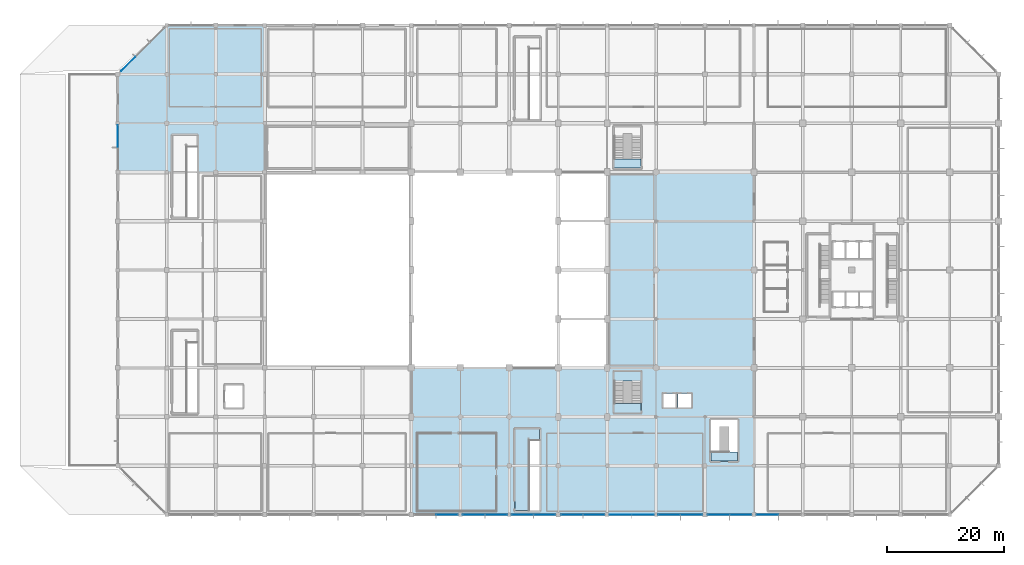
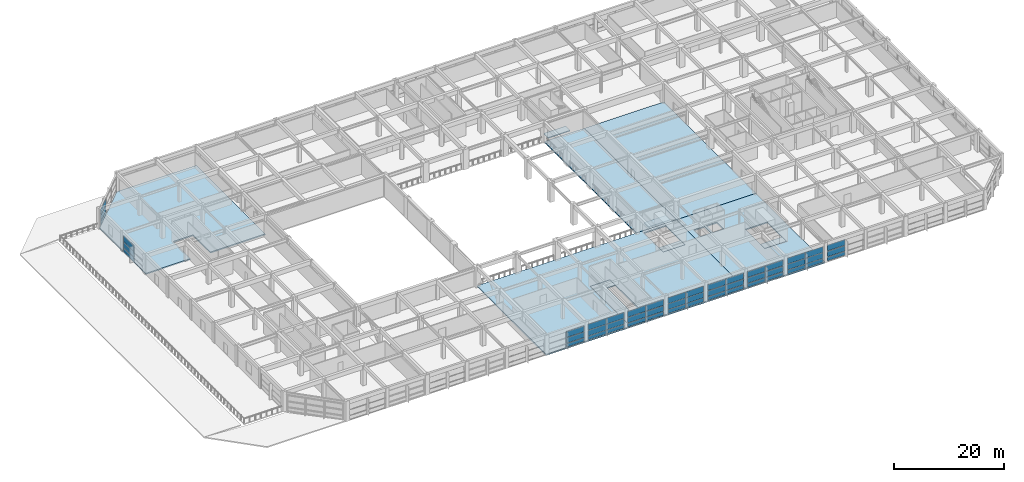
# One storey, part 37 of 56: 48 plates, 10 slabs, 12 elements without a shape of their own.
"""IFC4 building model written with IfcOpenShell, lengths in metres."""

from ifc_helpers import new_model, si_unit, direction, frame, origin, origin_2d, place, context, subcontext, project, spatial, polyline, rectangle, outline, extrude, material, layer, layer_set, type_object, element, aggregate, save


model = new_model("IFC4")

# Units and contexts
model_context = context("Model", 3, precision=1e-05, world=origin(), true_north=direction((0.0, 1.0)))
body_context = subcontext(model_context, "Body", "Model", "MODEL_VIEW")
ifc_project = project(units=[si_unit("LENGTHUNIT", "METRE"), si_unit("AREAUNIT", "SQUARE_METRE"), si_unit("VOLUMEUNIT", "CUBIC_METRE"), si_unit("PLANEANGLEUNIT", "RADIAN"), si_unit("MASSUNIT", "GRAM", prefix="KILO")], contexts=[model_context])

# Site, building, storey
site_placement = place(None, origin())
site = spatial("IfcSite", under=ifc_project, at=site_placement, CompositionType="ELEMENT")
building_placement = place(site_placement, origin())
building = spatial("IfcBuilding", under=site, at=building_placement, Name="Xuanlan Plaza Opera House", CompositionType="ELEMENT")
storey_placement = place(building_placement, frame((0.0, 0.0, 18.89990234375)))
storey = spatial("IfcBuildingStorey", under=building, at=storey_placement, Name="L04", CompositionType="ELEMENT", Elevation=18.89990234375)

# Curtain wall, plates
ifc_material_1 = material(Name="Anodised Aluminium 6063-T6 and Low-E Glass", Category="aluminium")
curtain_wall_type_1 = type_object("IfcCurtainWallType", Name="ENV-CW-CW-05", PredefinedType="USERDEFINED", material=ifc_material_1)
curtain_wall_1_placement = place(storey_placement, origin())
curtain_wall_1 = element("IfcCurtainWall", 1, at=curtain_wall_1_placement, inside=storey, type_object=curtain_wall_type_1, Name="Acoustic Glazed Wall L04-010", ObjectType="ACOUSTIC GLAZED WALL", PredefinedType="USERDEFINED")
ifc_material_2 = material(Name="Laminated Acoustic Double Glazing", Category="glass")
ifc_layer_1 = layer(ifc_material_2, 0.028076171875)
ifc_layer_set_1 = layer_set([ifc_layer_1], Name="Laminated Acoustic Double Glazing")
plate_type_1 = type_object("IfcPlateType", Name="ENV-CWP-01", PredefinedType="CURTAIN_PANEL", material=ifc_layer_set_1)
plate_1_placement = place(storey_placement, frame((103.11376953125, 16.800048828125, 0.065185546875), z_axis=(0.0, 0.0, 1.0), x_axis=(1.0, 0.0, 0.0)))
plate_1 = element("IfcPlate", 2, at=plate_1_placement, type_object=plate_type_1, Name="CW-05 panel 1.1", PredefinedType="CURTAIN_PANEL", context=body_context, shape_type="SweptSolid", body=[
    extrude(rectangle(XDim=3.757568359375, YDim=0.028076171875, at=origin_2d()), origin(), (0.0, 0.0, 1.0), 0.8525390625),
])
plate_2_placement = place(storey_placement, frame((103.11376953125, 16.800048828125, 0.982421875), z_axis=(0.0, 0.0, 1.0), x_axis=(1.0, 0.0, 0.0)))
plate_2 = element("IfcPlate", 3, at=plate_2_placement, type_object=plate_type_1, Name="CW-05 panel 1.2", PredefinedType="CURTAIN_PANEL", context=body_context, shape_type="SweptSolid", body=[
    extrude(rectangle(XDim=3.757568359375, YDim=0.028076171875, at=origin_2d()), origin(), (0.0, 0.0, 1.0), 1.235107421875),
])
plate_3_placement = place(storey_placement, frame((103.11376953125, 16.800048828125, 2.282470703125), z_axis=(0.0, 0.0, 1.0), x_axis=(1.0, 0.0, 0.0)))
plate_3 = element("IfcPlate", 4, at=plate_3_placement, type_object=plate_type_1, Name="CW-05 panel 1.3", PredefinedType="CURTAIN_PANEL", context=body_context, shape_type="SweptSolid", body=[
    extrude(rectangle(XDim=3.757568359375, YDim=0.028076171875, at=origin_2d()), origin(), (0.0, 0.0, 1.0), 1.33251953125),
])
plate_4_placement = place(storey_placement, frame((106.936279296875, 16.800048828125, 0.065185546875), z_axis=(0.0, 0.0, 1.0), x_axis=(1.0, 0.0, 0.0)))
plate_4 = element("IfcPlate", 5, at=plate_4_placement, type_object=plate_type_1, Name="CW-05 panel 2.1", PredefinedType="CURTAIN_PANEL", context=body_context, shape_type="SweptSolid", body=[
    extrude(rectangle(XDim=3.757568359375, YDim=0.028076171875, at=origin_2d()), origin(), (0.0, 0.0, 1.0), 0.8525390625),
])
plate_5_placement = place(storey_placement, frame((106.936279296875, 16.800048828125, 0.982421875), z_axis=(0.0, 0.0, 1.0), x_axis=(1.0, 0.0, 0.0)))
plate_5 = element("IfcPlate", 6, at=plate_5_placement, type_object=plate_type_1, Name="CW-05 panel 2.2", PredefinedType="CURTAIN_PANEL", context=body_context, shape_type="SweptSolid", body=[
    extrude(rectangle(XDim=3.757568359375, YDim=0.028076171875, at=origin_2d()), origin(), (0.0, 0.0, 1.0), 1.235107421875),
])
plate_6_placement = place(storey_placement, frame((106.936279296875, 16.800048828125, 2.282470703125), z_axis=(0.0, 0.0, 1.0), x_axis=(1.0, 0.0, 0.0)))
plate_6 = element("IfcPlate", 7, at=plate_6_placement, type_object=plate_type_1, Name="CW-05 panel 2.3", PredefinedType="CURTAIN_PANEL", context=body_context, shape_type="SweptSolid", body=[
    extrude(rectangle(XDim=3.757568359375, YDim=0.028076171875, at=origin_2d()), origin(), (0.0, 0.0, 1.0), 1.33251953125),
])
aggregate(curtain_wall_1, [plate_1, plate_2, plate_3, plate_4, plate_5, plate_6])

curtain_wall_type_2 = type_object("IfcCurtainWallType", Name="ENV-CW-CW-03", PredefinedType="USERDEFINED", material=ifc_material_1)
curtain_wall_2_placement = place(storey_placement, origin())
curtain_wall_2 = element("IfcCurtainWall", 8, at=curtain_wall_2_placement, inside=storey, type_object=curtain_wall_type_2, Name="Unitised Curtain Wall L04-045", ObjectType="UNITISED CURTAIN WALL", PredefinedType="USERDEFINED")
plate_7_placement = place(storey_placement, frame((16.800048828125, 81.736328125, 0.065185546875), z_axis=(0.0, 0.0, 1.0), x_axis=(0.0, -1.0, 0.0)))
plate_7 = element("IfcPlate", 9, at=plate_7_placement, type_object=plate_type_1, Name="CW-03 panel 1.1", PredefinedType="CURTAIN_PANEL", context=body_context, shape_type="SweptSolid", body=[
    extrude(rectangle(XDim=3.757568359375, YDim=0.028076171875, at=origin_2d()), origin(), (0.0, 0.0, 1.0), 0.8525390625),
])
plate_8_placement = place(storey_placement, frame((16.800048828125, 81.736328125, 0.982421875), z_axis=(0.0, 0.0, 1.0), x_axis=(0.0, -1.0, 0.0)))
plate_8 = element("IfcPlate", 10, at=plate_8_placement, type_object=plate_type_1, Name="CW-03 panel 1.2", PredefinedType="CURTAIN_PANEL", context=body_context, shape_type="SweptSolid", body=[
    extrude(rectangle(XDim=3.757568359375, YDim=0.028076171875, at=origin_2d()), origin(), (0.0, 0.0, 1.0), 1.235107421875),
])
plate_9_placement = place(storey_placement, frame((16.800048828125, 81.736328125, 2.282470703125), z_axis=(0.0, 0.0, 1.0), x_axis=(0.0, -1.0, 0.0)))
plate_9 = element("IfcPlate", 11, at=plate_9_placement, type_object=plate_type_1, Name="CW-03 panel 1.3", PredefinedType="CURTAIN_PANEL", context=body_context, shape_type="SweptSolid", body=[
    extrude(rectangle(XDim=3.757568359375, YDim=0.028076171875, at=origin_2d()), origin(), (0.0, 0.0, 1.0), 1.33251953125),
])
aggregate(curtain_wall_2, [plate_7, plate_8, plate_9])

curtain_wall_type_3 = type_object("IfcCurtainWallType", Name="ENV-CW-CW-06", PredefinedType="USERDEFINED", material=ifc_material_1)
curtain_wall_3_placement = place(storey_placement, origin())
curtain_wall_3 = element("IfcCurtainWall", 12, at=curtain_wall_3_placement, inside=storey, type_object=curtain_wall_type_3, Name="Acoustic Glazed Wall L04-007", ObjectType="ACOUSTIC GLAZED WALL", PredefinedType="USERDEFINED")
ifc_layer_2 = layer(ifc_material_2, 0.031982421875)
ifc_layer_set_2 = layer_set([ifc_layer_2], Name="Laminated Acoustic Double Glazing")
plate_type_2 = type_object("IfcPlateType", Name="ENV-CWP-02", PredefinedType="CURTAIN_PANEL", material=ifc_layer_set_2)
plate_10_placement = place(storey_placement, frame((77.916259765625, 16.800048828125, 0.090087890625), z_axis=(0.0, 0.0, 1.0), x_axis=(1.0, 0.0, 0.0)))
plate_10 = element("IfcPlate", 13, at=plate_10_placement, type_object=plate_type_2, Name="CW-06 panel 1.1", PredefinedType="CURTAIN_PANEL", context=body_context, shape_type="SweptSolid", body=[
    extrude(rectangle(XDim=3.742431640625, YDim=0.031982421875, at=origin_2d()), origin(), (0.0, 0.0, 1.0), 0.81494140625),
])
plate_11_placement = place(storey_placement, frame((77.916259765625, 16.800048828125, 0.9951171875), z_axis=(0.0, 0.0, 1.0), x_axis=(1.0, 0.0, 0.0)))
plate_11 = element("IfcPlate", 14, at=plate_11_placement, type_object=plate_type_2, Name="CW-06 panel 1.2", PredefinedType="CURTAIN_PANEL", context=body_context, shape_type="SweptSolid", body=[
    extrude(rectangle(XDim=3.742431640625, YDim=0.031982421875, at=origin_2d()), origin(), (0.0, 0.0, 1.0), 1.2099609375),
])
plate_12_placement = place(storey_placement, frame((77.916259765625, 16.800048828125, 2.295166015625), z_axis=(0.0, 0.0, 1.0), x_axis=(1.0, 0.0, 0.0)))
plate_12 = element("IfcPlate", 15, at=plate_12_placement, type_object=plate_type_2, Name="CW-06 panel 1.3", PredefinedType="CURTAIN_PANEL", context=body_context, shape_type="SweptSolid", body=[
    extrude(rectangle(XDim=3.742431640625, YDim=0.031982421875, at=origin_2d()), origin(), (0.0, 0.0, 1.0), 1.294921875),
])
plate_13_placement = place(storey_placement, frame((81.733642578125, 16.800048828125, 0.090087890625), z_axis=(0.0, 0.0, 1.0), x_axis=(1.0, 0.0, 0.0)))
plate_13 = element("IfcPlate", 16, at=plate_13_placement, type_object=plate_type_2, Name="CW-06 panel 2.1", PredefinedType="CURTAIN_PANEL", context=body_context, shape_type="SweptSolid", body=[
    extrude(rectangle(XDim=3.742431640625, YDim=0.031982421875, at=origin_2d()), origin(), (0.0, 0.0, 1.0), 0.81494140625),
])
plate_14_placement = place(storey_placement, frame((81.733642578125, 16.800048828125, 0.9951171875), z_axis=(0.0, 0.0, 1.0), x_axis=(1.0, 0.0, 0.0)))
plate_14 = element("IfcPlate", 17, at=plate_14_placement, type_object=plate_type_2, Name="CW-06 panel 2.2", PredefinedType="CURTAIN_PANEL", context=body_context, shape_type="SweptSolid", body=[
    extrude(rectangle(XDim=3.742431640625, YDim=0.031982421875, at=origin_2d()), origin(), (0.0, 0.0, 1.0), 1.2099609375),
])
plate_15_placement = place(storey_placement, frame((81.733642578125, 16.800048828125, 2.295166015625), z_axis=(0.0, 0.0, 1.0), x_axis=(1.0, 0.0, 0.0)))
plate_15 = element("IfcPlate", 18, at=plate_15_placement, type_object=plate_type_2, Name="CW-06 panel 2.3", PredefinedType="CURTAIN_PANEL", context=body_context, shape_type="SweptSolid", body=[
    extrude(rectangle(XDim=3.742431640625, YDim=0.031982421875, at=origin_2d()), origin(), (0.0, 0.0, 1.0), 1.294921875),
])
aggregate(curtain_wall_3, [plate_10, plate_11, plate_12, plate_13, plate_14, plate_15])

curtain_wall_4_placement = place(storey_placement, origin())
curtain_wall_4 = element("IfcCurtainWall", 19, at=curtain_wall_4_placement, inside=storey, type_object=curtain_wall_type_1, Name="Acoustic Glazed Wall L04-012", ObjectType="ACOUSTIC GLAZED WALL", PredefinedType="USERDEFINED")
plate_16_placement = place(storey_placement, frame((119.941162109375, 16.800048828125, 0.090087890625), z_axis=(0.0, 0.0, 1.0), x_axis=(1.0, 0.0, 0.0)))
plate_16 = element("IfcPlate", 20, at=plate_16_placement, type_object=plate_type_2, Name="CW-05 panel 1.1", PredefinedType="CURTAIN_PANEL", context=body_context, shape_type="SweptSolid", body=[
    extrude(rectangle(XDim=3.6923828125, YDim=0.031982421875, at=origin_2d()), origin(), (0.0, 0.0, 1.0), 0.81494140625),
])
plate_17_placement = place(storey_placement, frame((119.941162109375, 16.800048828125, 0.9951171875), z_axis=(0.0, 0.0, 1.0), x_axis=(1.0, 0.0, 0.0)))
plate_17 = element("IfcPlate", 21, at=plate_17_placement, type_object=plate_type_2, Name="CW-05 panel 1.2", PredefinedType="CURTAIN_PANEL", context=body_context, shape_type="SweptSolid", body=[
    extrude(rectangle(XDim=3.6923828125, YDim=0.031982421875, at=origin_2d()), origin(), (0.0, 0.0, 1.0), 1.2099609375),
])
plate_18_placement = place(storey_placement, frame((119.941162109375, 16.800048828125, 2.295166015625), z_axis=(0.0, 0.0, 1.0), x_axis=(1.0, 0.0, 0.0)))
plate_18 = element("IfcPlate", 22, at=plate_18_placement, type_object=plate_type_2, Name="CW-05 panel 1.3", PredefinedType="CURTAIN_PANEL", context=body_context, shape_type="SweptSolid", body=[
    extrude(rectangle(XDim=3.6923828125, YDim=0.031982421875, at=origin_2d()), origin(), (0.0, 0.0, 1.0), 1.294921875),
])
plate_19_placement = place(storey_placement, frame((123.708740234375, 16.800048828125, 0.090087890625), z_axis=(0.0, 0.0, 1.0), x_axis=(1.0, 0.0, 0.0)))
plate_19 = element("IfcPlate", 23, at=plate_19_placement, type_object=plate_type_2, Name="CW-05 panel 2.1", PredefinedType="CURTAIN_PANEL", context=body_context, shape_type="SweptSolid", body=[
    extrude(rectangle(XDim=3.6923828125, YDim=0.031982421875, at=origin_2d()), origin(), (0.0, 0.0, 1.0), 0.81494140625),
])
plate_20_placement = place(storey_placement, frame((123.708740234375, 16.800048828125, 0.9951171875), z_axis=(0.0, 0.0, 1.0), x_axis=(1.0, 0.0, 0.0)))
plate_20 = element("IfcPlate", 24, at=plate_20_placement, type_object=plate_type_2, Name="CW-05 panel 2.2", PredefinedType="CURTAIN_PANEL", context=body_context, shape_type="SweptSolid", body=[
    extrude(rectangle(XDim=3.6923828125, YDim=0.031982421875, at=origin_2d()), origin(), (0.0, 0.0, 1.0), 1.2099609375),
])
plate_21_placement = place(storey_placement, frame((123.708740234375, 16.800048828125, 2.295166015625), z_axis=(0.0, 0.0, 1.0), x_axis=(1.0, 0.0, 0.0)))
plate_21 = element("IfcPlate", 25, at=plate_21_placement, type_object=plate_type_2, Name="CW-05 panel 2.3", PredefinedType="CURTAIN_PANEL", context=body_context, shape_type="SweptSolid", body=[
    extrude(rectangle(XDim=3.6923828125, YDim=0.031982421875, at=origin_2d()), origin(), (0.0, 0.0, 1.0), 1.294921875),
])
aggregate(curtain_wall_4, [plate_16, plate_17, plate_18, plate_19, plate_20, plate_21])

curtain_wall_5_placement = place(storey_placement, origin())
curtain_wall_5 = element("IfcCurtainWall", 26, at=curtain_wall_5_placement, inside=storey, type_object=curtain_wall_type_3, Name="Acoustic Glazed Wall L04-009", ObjectType="ACOUSTIC GLAZED WALL", PredefinedType="USERDEFINED")
ifc_layer_3 = layer(ifc_material_2, 0.035888671875)
ifc_layer_set_3 = layer_set([ifc_layer_3], Name="Laminated Acoustic Double Glazing")
plate_type_3 = type_object("IfcPlateType", Name="ENV-CWP-03", PredefinedType="CURTAIN_PANEL", material=ifc_layer_set_3)
plate_22_placement = place(storey_placement, frame((94.7451171875, 16.800048828125, 0.080078125), z_axis=(0.0, 0.0, 1.0), x_axis=(1.0, 0.0, 0.0)))
plate_22 = element("IfcPlate", 27, at=plate_22_placement, type_object=plate_type_3, Name="CW-06 panel 1.1", PredefinedType="CURTAIN_PANEL", context=body_context, shape_type="SweptSolid", body=[
    extrude(rectangle(XDim=3.669921875, YDim=0.035888671875, at=origin_2d()), origin(), (0.0, 0.0, 1.0), 0.830078125),
])
plate_23_placement = place(storey_placement, frame((94.7451171875, 16.800048828125, 0.990234375), z_axis=(0.0, 0.0, 1.0), x_axis=(1.0, 0.0, 0.0)))
plate_23 = element("IfcPlate", 28, at=plate_23_placement, type_object=plate_type_3, Name="CW-06 panel 1.2", PredefinedType="CURTAIN_PANEL", context=body_context, shape_type="SweptSolid", body=[
    extrude(rectangle(XDim=3.669921875, YDim=0.035888671875, at=origin_2d()), origin(), (0.0, 0.0, 1.0), 1.219970703125),
])
plate_24_placement = place(storey_placement, frame((94.7451171875, 16.800048828125, 2.2900390625), z_axis=(0.0, 0.0, 1.0), x_axis=(1.0, 0.0, 0.0)))
plate_24 = element("IfcPlate", 29, at=plate_24_placement, type_object=plate_type_3, Name="CW-06 panel 1.3", PredefinedType="CURTAIN_PANEL", context=body_context, shape_type="SweptSolid", body=[
    extrude(rectangle(XDim=3.669921875, YDim=0.035888671875, at=origin_2d()), origin(), (0.0, 0.0, 1.0), 1.31005859375),
])
plate_25_placement = place(storey_placement, frame((98.5048828125, 16.800048828125, 0.080078125), z_axis=(0.0, 0.0, 1.0), x_axis=(1.0, 0.0, 0.0)))
plate_25 = element("IfcPlate", 30, at=plate_25_placement, type_object=plate_type_3, Name="CW-06 panel 2.1", PredefinedType="CURTAIN_PANEL", context=body_context, shape_type="SweptSolid", body=[
    extrude(rectangle(XDim=3.669921875, YDim=0.035888671875, at=origin_2d()), origin(), (0.0, 0.0, 1.0), 0.830078125),
])
plate_26_placement = place(storey_placement, frame((98.5048828125, 16.800048828125, 0.990234375), z_axis=(0.0, 0.0, 1.0), x_axis=(1.0, 0.0, 0.0)))
plate_26 = element("IfcPlate", 31, at=plate_26_placement, type_object=plate_type_3, Name="CW-06 panel 2.2", PredefinedType="CURTAIN_PANEL", context=body_context, shape_type="SweptSolid", body=[
    extrude(rectangle(XDim=3.669921875, YDim=0.035888671875, at=origin_2d()), origin(), (0.0, 0.0, 1.0), 1.219970703125),
])
plate_27_placement = place(storey_placement, frame((98.5048828125, 16.800048828125, 2.2900390625), z_axis=(0.0, 0.0, 1.0), x_axis=(1.0, 0.0, 0.0)))
plate_27 = element("IfcPlate", 32, at=plate_27_placement, type_object=plate_type_3, Name="CW-06 panel 2.3", PredefinedType="CURTAIN_PANEL", context=body_context, shape_type="SweptSolid", body=[
    extrude(rectangle(XDim=3.669921875, YDim=0.035888671875, at=origin_2d()), origin(), (0.0, 0.0, 1.0), 1.31005859375),
])
aggregate(curtain_wall_5, [plate_22, plate_23, plate_24, plate_25, plate_26, plate_27])

curtain_wall_6_placement = place(storey_placement, origin())
curtain_wall_6 = element("IfcCurtainWall", 33, at=curtain_wall_6_placement, inside=storey, type_object=curtain_wall_type_1, Name="Acoustic Glazed Wall L04-006", ObjectType="ACOUSTIC GLAZED WALL", PredefinedType="USERDEFINED")
ifc_layer_4 = layer(ifc_material_2, 0.0400390625)
ifc_layer_set_4 = layer_set([ifc_layer_4], Name="Laminated Acoustic Double Glazing")
plate_type_4 = type_object("IfcPlateType", Name="ENV-CWP-04", PredefinedType="CURTAIN_PANEL", material=ifc_layer_set_4)
plate_28_placement = place(storey_placement, frame((73.31005859375, 16.800048828125, 0.0751953125), z_axis=(0.0, 0.0, 1.0), x_axis=(1.0, 0.0, 0.0)))
plate_28 = element("IfcPlate", 34, at=plate_28_placement, type_object=plate_type_4, Name="CW-05 panel 2.1", PredefinedType="CURTAIN_PANEL", context=body_context, shape_type="SweptSolid", body=[
    extrude(rectangle(XDim=3.699951171875, YDim=0.0400390625, at=origin_2d()), origin(), (0.0, 0.0, 1.0), 0.83740234375),
])
plate_29_placement = place(storey_placement, frame((73.31005859375, 16.800048828125, 0.987548828125), z_axis=(0.0, 0.0, 1.0), x_axis=(1.0, 0.0, 0.0)))
plate_29 = element("IfcPlate", 35, at=plate_29_placement, type_object=plate_type_4, Name="CW-05 panel 2.2", PredefinedType="CURTAIN_PANEL", context=body_context, shape_type="SweptSolid", body=[
    extrude(rectangle(XDim=3.699951171875, YDim=0.0400390625, at=origin_2d()), origin(), (0.0, 0.0, 1.0), 1.22509765625),
])
plate_30_placement = place(storey_placement, frame((73.31005859375, 16.800048828125, 2.28759765625), z_axis=(0.0, 0.0, 1.0), x_axis=(1.0, 0.0, 0.0)))
plate_30 = element("IfcPlate", 36, at=plate_30_placement, type_object=plate_type_4, Name="CW-05 panel 2.3", PredefinedType="CURTAIN_PANEL", context=body_context, shape_type="SweptSolid", body=[
    extrude(rectangle(XDim=3.699951171875, YDim=0.0400390625, at=origin_2d()), origin(), (0.0, 0.0, 1.0), 1.3173828125),
])
aggregate(curtain_wall_6, [plate_28, plate_29, plate_30])

curtain_wall_7_placement = place(storey_placement, origin())
curtain_wall_7 = element("IfcCurtainWall", 37, at=curtain_wall_7_placement, inside=storey, type_object=curtain_wall_type_3, Name="Acoustic Glazed Wall L04-011", ObjectType="ACOUSTIC GLAZED WALL", PredefinedType="USERDEFINED")
plate_31_placement = place(storey_placement, frame((111.452392578125, 16.800048828125, 0.0751953125), z_axis=(0.0, 0.0, 1.0), x_axis=(1.0, 0.0, 0.0)))
plate_31 = element("IfcPlate", 38, at=plate_31_placement, type_object=plate_type_4, Name="CW-06 panel 1.1", PredefinedType="CURTAIN_PANEL", context=body_context, shape_type="SweptSolid", body=[
    extrude(rectangle(XDim=3.72509765625, YDim=0.0400390625, at=origin_2d()), origin(), (0.0, 0.0, 1.0), 0.83740234375),
])
plate_32_placement = place(storey_placement, frame((111.452392578125, 16.800048828125, 0.987548828125), z_axis=(0.0, 0.0, 1.0), x_axis=(1.0, 0.0, 0.0)))
plate_32 = element("IfcPlate", 39, at=plate_32_placement, type_object=plate_type_4, Name="CW-06 panel 1.2", PredefinedType="CURTAIN_PANEL", context=body_context, shape_type="SweptSolid", body=[
    extrude(rectangle(XDim=3.72509765625, YDim=0.0400390625, at=origin_2d()), origin(), (0.0, 0.0, 1.0), 1.22509765625),
])
plate_33_placement = place(storey_placement, frame((111.452392578125, 16.800048828125, 2.28759765625), z_axis=(0.0, 0.0, 1.0), x_axis=(1.0, 0.0, 0.0)))
plate_33 = element("IfcPlate", 40, at=plate_33_placement, type_object=plate_type_4, Name="CW-06 panel 1.3", PredefinedType="CURTAIN_PANEL", context=body_context, shape_type="SweptSolid", body=[
    extrude(rectangle(XDim=3.72509765625, YDim=0.0400390625, at=origin_2d()), origin(), (0.0, 0.0, 1.0), 1.3173828125),
])
plate_34_placement = place(storey_placement, frame((115.24755859375, 16.800048828125, 0.0751953125), z_axis=(0.0, 0.0, 1.0), x_axis=(1.0, 0.0, 0.0)))
plate_34 = element("IfcPlate", 41, at=plate_34_placement, type_object=plate_type_4, Name="CW-06 panel 2.1", PredefinedType="CURTAIN_PANEL", context=body_context, shape_type="SweptSolid", body=[
    extrude(rectangle(XDim=3.72509765625, YDim=0.0400390625, at=origin_2d()), origin(), (0.0, 0.0, 1.0), 0.83740234375),
])
plate_35_placement = place(storey_placement, frame((115.24755859375, 16.800048828125, 0.987548828125), z_axis=(0.0, 0.0, 1.0), x_axis=(1.0, 0.0, 0.0)))
plate_35 = element("IfcPlate", 42, at=plate_35_placement, type_object=plate_type_4, Name="CW-06 panel 2.2", PredefinedType="CURTAIN_PANEL", context=body_context, shape_type="SweptSolid", body=[
    extrude(rectangle(XDim=3.72509765625, YDim=0.0400390625, at=origin_2d()), origin(), (0.0, 0.0, 1.0), 1.22509765625),
])
plate_36_placement = place(storey_placement, frame((115.24755859375, 16.800048828125, 2.28759765625), z_axis=(0.0, 0.0, 1.0), x_axis=(1.0, 0.0, 0.0)))
plate_36 = element("IfcPlate", 43, at=plate_36_placement, type_object=plate_type_4, Name="CW-06 panel 2.3", PredefinedType="CURTAIN_PANEL", context=body_context, shape_type="SweptSolid", body=[
    extrude(rectangle(XDim=3.72509765625, YDim=0.0400390625, at=origin_2d()), origin(), (0.0, 0.0, 1.0), 1.3173828125),
])
aggregate(curtain_wall_7, [plate_31, plate_32, plate_33, plate_34, plate_35, plate_36])

curtain_wall_8_placement = place(storey_placement, origin())
curtain_wall_8 = element("IfcCurtainWall", 44, at=curtain_wall_8_placement, inside=storey, type_object=curtain_wall_type_1, Name="Acoustic Glazed Wall L04-008", ObjectType="ACOUSTIC GLAZED WALL", PredefinedType="USERDEFINED")
ifc_layer_5 = layer(ifc_material_2, 0.0439453125)
ifc_layer_set_5 = layer_set([ifc_layer_5], Name="Laminated Acoustic Double Glazing")
plate_type_5 = type_object("IfcPlateType", Name="ENV-CWP-05", PredefinedType="CURTAIN_PANEL", material=ifc_layer_set_5)
plate_37_placement = place(storey_placement, frame((86.2548828125, 16.800048828125, 0.0703125), z_axis=(0.0, 0.0, 1.0), x_axis=(1.0, 0.0, 0.0)))
plate_37 = element("IfcPlate", 45, at=plate_37_placement, type_object=plate_type_5, Name="CW-05 panel 1.1", PredefinedType="CURTAIN_PANEL", context=body_context, shape_type="SweptSolid", body=[
    extrude(rectangle(XDim=3.7099609375, YDim=0.0439453125, at=origin_2d()), origin(), (0.0, 0.0, 1.0), 0.844970703125),
])
plate_38_placement = place(storey_placement, frame((86.2548828125, 16.800048828125, 0.985107421875), z_axis=(0.0, 0.0, 1.0), x_axis=(1.0, 0.0, 0.0)))
plate_38 = element("IfcPlate", 46, at=plate_38_placement, type_object=plate_type_5, Name="CW-05 panel 1.2", PredefinedType="CURTAIN_PANEL", context=body_context, shape_type="SweptSolid", body=[
    extrude(rectangle(XDim=3.7099609375, YDim=0.0439453125, at=origin_2d()), origin(), (0.0, 0.0, 1.0), 1.22998046875),
])
plate_39_placement = place(storey_placement, frame((86.2548828125, 16.800048828125, 2.28515625), z_axis=(0.0, 0.0, 1.0), x_axis=(1.0, 0.0, 0.0)))
plate_39 = element("IfcPlate", 47, at=plate_39_placement, type_object=plate_type_5, Name="CW-05 panel 1.3", PredefinedType="CURTAIN_PANEL", context=body_context, shape_type="SweptSolid", body=[
    extrude(rectangle(XDim=3.7099609375, YDim=0.0439453125, at=origin_2d()), origin(), (0.0, 0.0, 1.0), 1.324951171875),
])
plate_40_placement = place(storey_placement, frame((90.044921875, 16.800048828125, 0.0703125), z_axis=(0.0, 0.0, 1.0), x_axis=(1.0, 0.0, 0.0)))
plate_40 = element("IfcPlate", 48, at=plate_40_placement, type_object=plate_type_5, Name="CW-05 panel 2.1", PredefinedType="CURTAIN_PANEL", context=body_context, shape_type="SweptSolid", body=[
    extrude(rectangle(XDim=3.7099609375, YDim=0.0439453125, at=origin_2d()), origin(), (0.0, 0.0, 1.0), 0.844970703125),
])
plate_41_placement = place(storey_placement, frame((90.044921875, 16.800048828125, 0.985107421875), z_axis=(0.0, 0.0, 1.0), x_axis=(1.0, 0.0, 0.0)))
plate_41 = element("IfcPlate", 49, at=plate_41_placement, type_object=plate_type_5, Name="CW-05 panel 2.2", PredefinedType="CURTAIN_PANEL", context=body_context, shape_type="SweptSolid", body=[
    extrude(rectangle(XDim=3.7099609375, YDim=0.0439453125, at=origin_2d()), origin(), (0.0, 0.0, 1.0), 1.22998046875),
])
plate_42_placement = place(storey_placement, frame((90.044921875, 16.800048828125, 2.28515625), z_axis=(0.0, 0.0, 1.0), x_axis=(1.0, 0.0, 0.0)))
plate_42 = element("IfcPlate", 50, at=plate_42_placement, type_object=plate_type_5, Name="CW-05 panel 2.3", PredefinedType="CURTAIN_PANEL", context=body_context, shape_type="SweptSolid", body=[
    extrude(rectangle(XDim=3.7099609375, YDim=0.0439453125, at=origin_2d()), origin(), (0.0, 0.0, 1.0), 1.324951171875),
])
aggregate(curtain_wall_8, [plate_37, plate_38, plate_39, plate_40, plate_41, plate_42])

curtain_wall_9_placement = place(storey_placement, origin())
curtain_wall_9 = element("IfcCurtainWall", 51, at=curtain_wall_9_placement, inside=storey, type_object=curtain_wall_type_3, Name="Acoustic Glazed Wall L04-013", ObjectType="ACOUSTIC GLAZED WALL", PredefinedType="USERDEFINED")
plate_43_placement = place(storey_placement, frame((128.3173828125, 16.800048828125, 0.0703125), z_axis=(0.0, 0.0, 1.0), x_axis=(1.0, 0.0, 0.0)))
plate_43 = element("IfcPlate", 52, at=plate_43_placement, type_object=plate_type_5, Name="CW-06 panel 1.1", PredefinedType="CURTAIN_PANEL", context=body_context, shape_type="SweptSolid", body=[
    extrude(rectangle(XDim=3.735107421875, YDim=0.0439453125, at=origin_2d()), origin(), (0.0, 0.0, 1.0), 0.844970703125),
])
plate_44_placement = place(storey_placement, frame((128.3173828125, 16.800048828125, 0.985107421875), z_axis=(0.0, 0.0, 1.0), x_axis=(1.0, 0.0, 0.0)))
plate_44 = element("IfcPlate", 53, at=plate_44_placement, type_object=plate_type_5, Name="CW-06 panel 1.2", PredefinedType="CURTAIN_PANEL", context=body_context, shape_type="SweptSolid", body=[
    extrude(rectangle(XDim=3.735107421875, YDim=0.0439453125, at=origin_2d()), origin(), (0.0, 0.0, 1.0), 1.22998046875),
])
plate_45_placement = place(storey_placement, frame((128.3173828125, 16.800048828125, 2.28515625), z_axis=(0.0, 0.0, 1.0), x_axis=(1.0, 0.0, 0.0)))
plate_45 = element("IfcPlate", 54, at=plate_45_placement, type_object=plate_type_5, Name="CW-06 panel 1.3", PredefinedType="CURTAIN_PANEL", context=body_context, shape_type="SweptSolid", body=[
    extrude(rectangle(XDim=3.735107421875, YDim=0.0439453125, at=origin_2d()), origin(), (0.0, 0.0, 1.0), 1.324951171875),
])
aggregate(curtain_wall_9, [plate_43, plate_44, plate_45])

curtain_wall_type_4 = type_object("IfcCurtainWallType", Name="ENV-CW-CW-01", PredefinedType="USERDEFINED", material=ifc_material_1)
curtain_wall_10_placement = place(storey_placement, origin())
curtain_wall_10 = element("IfcCurtainWall", 55, at=curtain_wall_10_placement, inside=storey, type_object=curtain_wall_type_4, Name="Unitised Curtain Wall L04-043", ObjectType="UNITISED CURTAIN WALL", PredefinedType="USERDEFINED")
plate_46_placement = place(storey_placement, frame((18.5634765625, 94.16357421875, 0.0703125), z_axis=(0.0, 0.0, 1.0), x_axis=(-0.707106781187, -0.707106781187, 0.0)))
plate_46 = element("IfcPlate", 56, at=plate_46_placement, type_object=plate_type_5, Name="CW-01 panel 3.1", PredefinedType="CURTAIN_PANEL", context=body_context, shape_type="SweptSolid", body=[
    extrude(rectangle(XDim=3.41650390625, YDim=0.0439453125, at=origin_2d()), origin(), (0.0, 0.0, 1.0), 0.844970703125),
])
plate_47_placement = place(storey_placement, frame((18.5634765625, 94.16357421875, 0.985107421875), z_axis=(0.0, 0.0, 1.0), x_axis=(-0.707106781187, -0.707106781187, 0.0)))
plate_47 = element("IfcPlate", 57, at=plate_47_placement, type_object=plate_type_5, Name="CW-01 panel 3.2", PredefinedType="CURTAIN_PANEL", context=body_context, shape_type="SweptSolid", body=[
    extrude(rectangle(XDim=3.41650390625, YDim=0.0439453125, at=origin_2d()), origin(), (0.0, 0.0, 1.0), 1.22998046875),
])
plate_48_placement = place(storey_placement, frame((18.5634765625, 94.16357421875, 2.28515625), z_axis=(0.0, 0.0, 1.0), x_axis=(-0.707106781187, -0.707106781187, 0.0)))
plate_48 = element("IfcPlate", 58, at=plate_48_placement, type_object=plate_type_5, Name="CW-01 panel 3.3", PredefinedType="CURTAIN_PANEL", context=body_context, shape_type="SweptSolid", body=[
    extrude(rectangle(XDim=3.41650390625, YDim=0.0439453125, at=origin_2d()), origin(), (0.0, 0.0, 1.0), 1.324951171875),
])
aggregate(curtain_wall_10, [plate_46, plate_47, plate_48])

# Stair, slabs
ifc_material_3 = material(Name="Concrete C40", Category="concrete")
stair_type = type_object("IfcStairType", Name="INT-ST-STR-F130", PredefinedType="HALF_TURN_STAIR", material=ifc_material_3)
stair_1_placement = place(storey_placement, origin())
stair_1 = element("IfcStair", 59, at=stair_1_placement, inside=storey, type_object=stair_type, Name="Grand Foyer Feature Stair ST-F1 L04", PredefinedType="HALF_TURN_STAIR")
ifc_layer_6 = layer(ifc_material_3, 0.18994140625)
ifc_layer_set_6 = layer_set([ifc_layer_6], Name="Concrete C40")
slab_type_1 = type_object("IfcSlabType", Name="INT-SLB-LND-19", PredefinedType="LANDING", material=ifc_layer_set_6)
slab_1_placement = place(storey_placement, frame((0.0, 0.0, 2.06005859375)))
slab_1 = element("IfcSlab", 60, at=slab_1_placement, type_object=slab_type_1, Name="ST-F1-L04 landing 1", PredefinedType="LANDING", context=body_context, shape_type="SweptSolid", body=[
    extrude(outline(polyline([(102.0, 39.77490234375), (106.60009765625, 39.77490234375), (106.60009765625, 41.3798828125), (102.0, 41.3798828125), (102.0, 39.77490234375)])), origin(), (0.0, 0.0, 1.0), 0.18994140625),
])
slab_2_placement = place(storey_placement, frame((0.0, 0.0, -0.18994140625)))
slab_2 = element("IfcSlab", 61, at=slab_2_placement, type_object=slab_type_1, Name="ST-F1-L04 landing 2", PredefinedType="LANDING", context=body_context, shape_type="SweptSolid", body=[
    extrude(outline(polyline([(102.0, 34.300048828125), (106.60009765625, 34.300048828125), (106.60009765625, 35.905029296875), (102.0, 35.905029296875), (102.0, 34.300048828125)])), origin(), (0.0, 0.0, 1.0), 0.18994140625),
])
aggregate(stair_1, [slab_1, slab_2])

# Stair, slab
stair_2_placement = place(storey_placement, origin())
stair_2 = element("IfcStair", 62, at=stair_2_placement, inside=storey, type_object=stair_type, Name="Grand Foyer Feature Stair ST-F2 L04", PredefinedType="HALF_TURN_STAIR")
slab_3_placement = place(storey_placement, frame((0.0, 0.0, -0.18994140625)))
slab_3 = element("IfcSlab", 63, at=slab_3_placement, type_object=slab_type_1, Name="ST-F2-L04 landing 2", PredefinedType="LANDING", context=body_context, shape_type="SweptSolid", body=[
    extrude(outline(polyline([(102.0, 76.300048828125), (106.60009765625, 76.300048828125), (106.60009765625, 77.905029296875), (102.0, 77.905029296875), (102.0, 76.300048828125)])), origin(), (0.0, 0.0, 1.0), 0.18994140625),
])
aggregate(stair_2, [slab_3])

# Slabs
slab_4_placement = place(storey_placement, frame((0.0, 0.0, -0.18994140625)))
element("IfcSlab", 64, at=slab_4_placement, inside=storey, type_object=slab_type_1, Name="Feature Stair Top Landing ST-F3 L04", PredefinedType="LANDING", context=body_context, shape_type="SweptSolid", body=[
    extrude(outline(polyline([(118.60009765625, 26.0), (123.199951171875, 26.0), (123.199951171875, 27.60498046875), (118.60009765625, 27.60498046875), (118.60009765625, 26.0)])), origin(), (0.0, 0.0, 1.0), 0.18994140625),
])
ifc_layer_7 = layer(ifc_material_3, 0.199951171875)
ifc_layer_set_7 = layer_set([ifc_layer_7], Name="Concrete C40")
slab_type_2 = type_object("IfcSlabType", Name="INT-SLB-LND-20", PredefinedType="LANDING", material=ifc_layer_set_7)
slab_5_placement = place(storey_placement, frame((0.0, 0.0, -0.199951171875)))
element("IfcSlab", 65, at=slab_5_placement, inside=storey, type_object=slab_type_2, Name="Top Stairwell Arrival Landing ST-P3 L04", PredefinedType="LANDING", context=body_context, shape_type="SweptSolid", body=[
    extrude(outline(polyline([(85.0, 17.5), (87.39990234375, 17.5), (87.39990234375, 29.574951171875), (89.199951171875, 29.574951171875), (89.199951171875, 31.5), (85.0, 31.5), (85.0, 17.5)])), origin(), (0.0, 0.0, 1.0), 0.199951171875),
])
ifc_layer_8 = layer(ifc_material_3, 0.260009765625)
ifc_layer_set_8 = layer_set([ifc_layer_8], Name="Concrete C40")
slab_type_3 = type_object("IfcSlabType", Name="STR-SLB-SL-02", PredefinedType="FLOOR", material=ifc_layer_set_8)
slab_6_placement = place(storey_placement, frame((0.0, 0.0, -0.260009765625)))
element("IfcSlab", 66, at=slab_6_placement, inside=storey, type_object=slab_type_3, Name="Storey L04 Structural Floor Slab Zone 03", PredefinedType="FLOOR", context=body_context, shape_type="SweptSolid", body=[
    extrude(outline(polyline([(16.800048828125, 92.39990234375), (25.199951171875, 100.800048828125), (42.0, 100.800048828125), (42.0, 75.60009765625), (30.39990234375, 75.60009765625), (30.39990234375, 81.89990234375), (26.199951171875, 81.89990234375), (26.199951171875, 75.60009765625), (16.800048828125, 75.60009765625), (16.800048828125, 92.39990234375)])), origin(), (0.0, 0.0, 1.0), 0.260009765625),
])
slab_7_placement = place(storey_placement, frame((0.0, 0.0, -0.260009765625)))
element("IfcSlab", 67, at=slab_7_placement, inside=storey, type_object=slab_type_3, Name="Storey L04 Structural Floor Slab Zone 07", PredefinedType="FLOOR", context=body_context, shape_type="SweptSolid", body=[
    extrude(outline(polyline([(67.199951171875, 16.800048828125), (67.199951171875, 42.0), (100.800048828125, 42.0), (109.199951171875, 42.0), (109.199951171875, 16.800048828125), (67.199951171875, 16.800048828125)]), holes=[polyline([(89.199951171875, 17.5), (89.199951171875, 31.5), (85.0, 31.5), (85.0, 17.5), (89.199951171875, 17.5)]), polyline([(102.0, 41.3798828125), (102.0, 34.300048828125), (106.60009765625, 34.300048828125), (106.60009765625, 41.3798828125), (102.0, 41.3798828125)])]), origin(), (0.0, 0.0, 1.0), 0.260009765625),
])
slab_8_placement = place(storey_placement, frame((0.0, 0.0, -0.260009765625)))
element("IfcSlab", 68, at=slab_8_placement, inside=storey, type_object=slab_type_3, Name="Storey L04 Structural Floor Slab Zone 08", PredefinedType="FLOOR", context=body_context, shape_type="SweptSolid", body=[
    extrude(outline(polyline([(100.800048828125, 75.60009765625), (109.199951171875, 75.60009765625), (109.199951171875, 42.0), (100.800048828125, 42.0), (100.800048828125, 75.60009765625)])), origin(), (0.0, 0.0, 1.0), 0.260009765625),
])
slab_9_placement = place(storey_placement, frame((0.0, 0.0, -0.260009765625)))
element("IfcSlab", 69, at=slab_9_placement, inside=storey, type_object=slab_type_3, Name="Storey L04 Structural Floor Slab Zone 10", PredefinedType="FLOOR", context=body_context, shape_type="SweptSolid", body=[
    extrude(outline(polyline([(109.199951171875, 16.800048828125), (109.199951171875, 42.0), (126.0, 42.0), (126.0, 16.800048828125), (109.199951171875, 16.800048828125)]), holes=[polyline([(123.199951171875, 26.0), (123.199951171875, 33.080078125), (118.60009765625, 33.080078125), (118.60009765625, 26.0), (123.199951171875, 26.0)]), polyline([(112.60009765625, 37.60009765625), (110.39990234375, 37.60009765625), (110.39990234375, 35.199951171875), (112.60009765625, 35.199951171875), (112.60009765625, 37.60009765625)]), polyline([(115.199951171875, 35.199951171875), (115.199951171875, 37.60009765625), (113.0, 37.60009765625), (113.0, 35.199951171875), (115.199951171875, 35.199951171875)])]), origin(), (0.0, 0.0, 1.0), 0.260009765625),
])
slab_10_placement = place(storey_placement, frame((0.0, 0.0, -0.260009765625)))
element("IfcSlab", 70, at=slab_10_placement, inside=storey, type_object=slab_type_3, Name="Storey L04 Structural Floor Slab Zone 11", PredefinedType="FLOOR", context=body_context, shape_type="SweptSolid", body=[
    extrude(outline(polyline([(109.199951171875, 42.0), (109.199951171875, 75.60009765625), (126.0, 75.60009765625), (126.0, 42.0), (109.199951171875, 42.0)])), origin(), (0.0, 0.0, 1.0), 0.260009765625),
])

save(model, "model.ifc")
